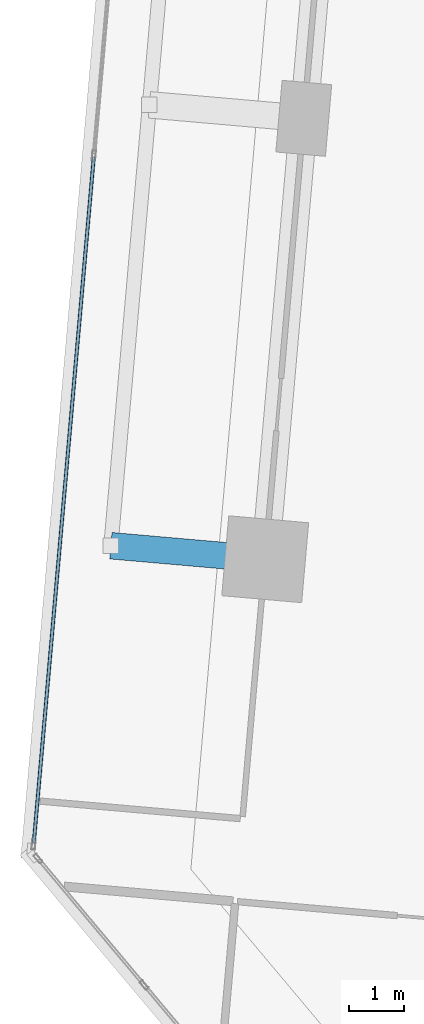
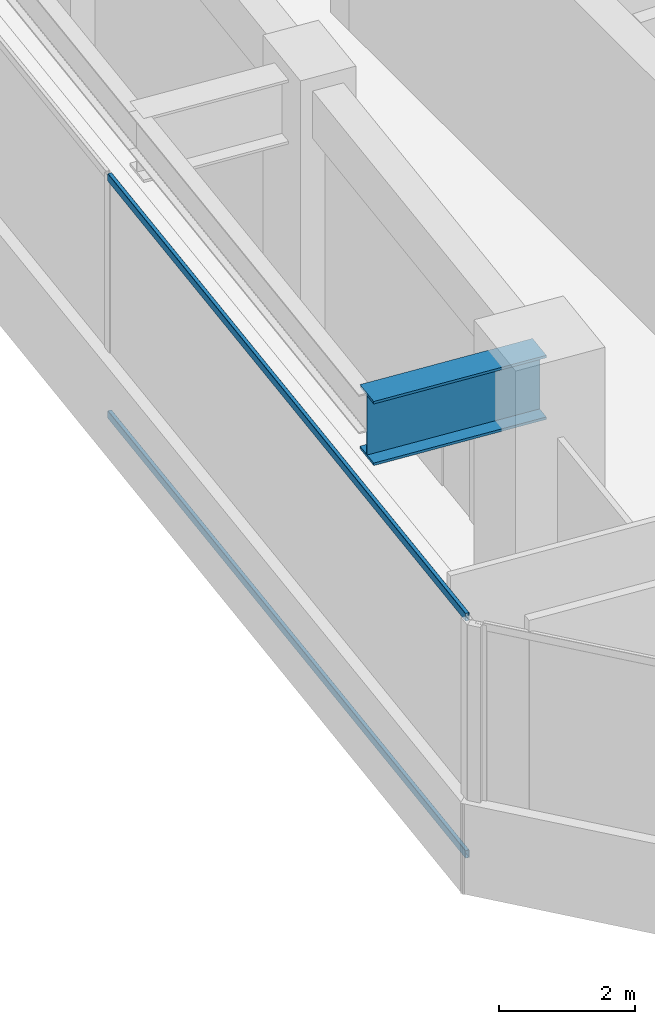
# One storey, part 4 of 24: 2 members, 1 beam, 1 element without a shape of its own.
"""IFC4 building model written with IfcOpenShell, lengths in metres."""

from ifc_helpers import new_model, si_unit, direction, frame, origin, origin_2d, place, context, subcontext, project, spatial, hollow_rectangle, i_section, extrude, source, transform, mapped, material, material_profile, profile_set, type_object, element, aggregate, save


model = new_model("IFC4")

# Units and contexts
model_context = context("Model", 3, precision=1e-05, world=origin(), true_north=direction((0.0, 1.0)))
body_context = subcontext(model_context, "Body", "Model", "MODEL_VIEW")
ifc_project = project(units=[si_unit("LENGTHUNIT", "METRE"), si_unit("AREAUNIT", "SQUARE_METRE"), si_unit("VOLUMEUNIT", "CUBIC_METRE"), si_unit("PLANEANGLEUNIT", "RADIAN"), si_unit("MASSUNIT", "GRAM", prefix="KILO")], contexts=[model_context])

# Site, building, storey
site_placement = place(None, origin())
site = spatial("IfcSite", under=ifc_project, at=site_placement, CompositionType="ELEMENT")
building_placement = place(site_placement, origin())
building = spatial("IfcBuilding", under=site, at=building_placement, Name="Torre Montelarca", CompositionType="ELEMENT")
storey_placement = place(building_placement, frame((0.0, 0.0, 47.199951171875)))
storey = spatial("IfcBuildingStorey", under=building, at=storey_placement, Name="L10", CompositionType="ELEMENT", Elevation=47.199951171875)

# Beam
ifc_material_1 = material(Name="Steel ASTM A572 Grade 50", Category="steel")
ifc_material_profile_1 = material_profile(ifc_material_1, i_section(OverallWidth=0.47998046875, OverallDepth=1.14990234375, WebThickness=0.02197265625, FlangeThickness=0.044921875, at=origin_2d()), Name="PG1150X480X22X45", Category="steel")
ifc_profile_set_1 = profile_set([ifc_material_profile_1], Name="Steel ASTM A572 Grade 50")
beam_type = type_object("IfcBeamType", Name="BM-CG-PG1400-EXT", PredefinedType="USERDEFINED", material=ifc_profile_set_1)
shared_shape_1 = source(origin(), body_context, "Body", "SweptSolid", [
    extrude(i_section(OverallWidth=0.47998046875, OverallDepth=1.14990234375, WebThickness=0.02197265625, FlangeThickness=0.044921875, at=origin_2d()), origin(), (0.0, 0.0, 1.0), 2.800048828125),
])
beam_placement = place(storey_placement, frame((4.016845703125, 25.4990234375, 3.985107421875), z_axis=(-0.996191351034, 0.087193991338, 0.0), x_axis=(-0.087193991338, -0.996191351034, 0.0)))
element("IfcBeam", 1, at=beam_placement, inside=storey, type_object=beam_type, Name="L10 Sliding Tray Cantilever Girder West Y=24.0m (FLR)", ObjectType="CANTILEVER GIRDER", PredefinedType="USERDEFINED", context=body_context, shape_type="MappedRepresentation", body=[
    mapped(shared_shape_1, transform((0.0, 0.0, 0.0), scale=1.0)),
])

# Curtain wall, members
ifc_material_2 = material(Name="Insulated low-E laminated glass", Category="glass")
curtain_wall_type = type_object("IfcCurtainWallType", Name="CW-SYS-Z1", PredefinedType="USERDEFINED", material=ifc_material_2)
curtain_wall_placement = place(storey_placement, origin())
curtain_wall = element("IfcCurtainWall", 2, at=curtain_wall_placement, inside=storey, type_object=curtain_wall_type, Name="L10 Curtain Wall Run CW-T3-L10-E10-B1", ObjectType="UNITISED GLAZING", PredefinedType="USERDEFINED")
ifc_material_3 = material(Name="Anodised aluminium AA 6063-T6", Category="aluminium")
ifc_material_profile_2 = material_profile(ifc_material_3, hollow_rectangle(XDim=0.06494140625, YDim=0.139892578125, WallThickness=0.00390625, InnerFilletRadius=0.00390625, OuterFilletRadius=0.008056640625, at=origin_2d()), Name="ALU65X140X4", Category="aluminium")
ifc_profile_set_2 = profile_set([ifc_material_profile_2], Name="Anodised aluminium AA 6063-T6")
member_type = type_object("IfcMemberType", Name="CWT-ALU140", PredefinedType="USERDEFINED", material=ifc_profile_set_2)
shared_shape_2 = source(origin(), body_context, "Body", "SweptSolid", [
    extrude(hollow_rectangle(XDim=0.06494140625, YDim=0.139892578125, WallThickness=0.00390625, InnerFilletRadius=0.00390625, OuterFilletRadius=0.008056640625, at=origin_2d()), origin(), (0.0, 0.0, 1.0), 12.4365234375),
])
member_1_placement = place(storey_placement, frame((0.918212890625, 32.76416015625, 0.032470703125), z_axis=(-0.087161592776, -0.996194186263, 0.0), x_axis=(0.996194186263, -0.087161592776, 0.0)))
member_1 = element("IfcMember", 3, at=member_1_placement, type_object=member_type, Name="CW transom 2.1", ObjectType="TRANSOM", PredefinedType="USERDEFINED", context=body_context, shape_type="MappedRepresentation", body=[
    mapped(shared_shape_2, transform((0.0, 0.0, 0.0), scale=1.0)),
])
member_2_placement = place(storey_placement, frame((0.918212890625, 32.76416015625, 4.28759765625), z_axis=(-0.087161592776, -0.996194186263, 0.0), x_axis=(0.996194186263, -0.087161592776, 0.0)))
member_2 = element("IfcMember", 4, at=member_2_placement, type_object=member_type, Name="CW transom 2.2", ObjectType="TRANSOM", PredefinedType="USERDEFINED", context=body_context, shape_type="MappedRepresentation", body=[
    mapped(shared_shape_2, transform((0.0, 0.0, 0.0), scale=1.0)),
])
aggregate(curtain_wall, [member_1, member_2])

save(model, "model.ifc")
